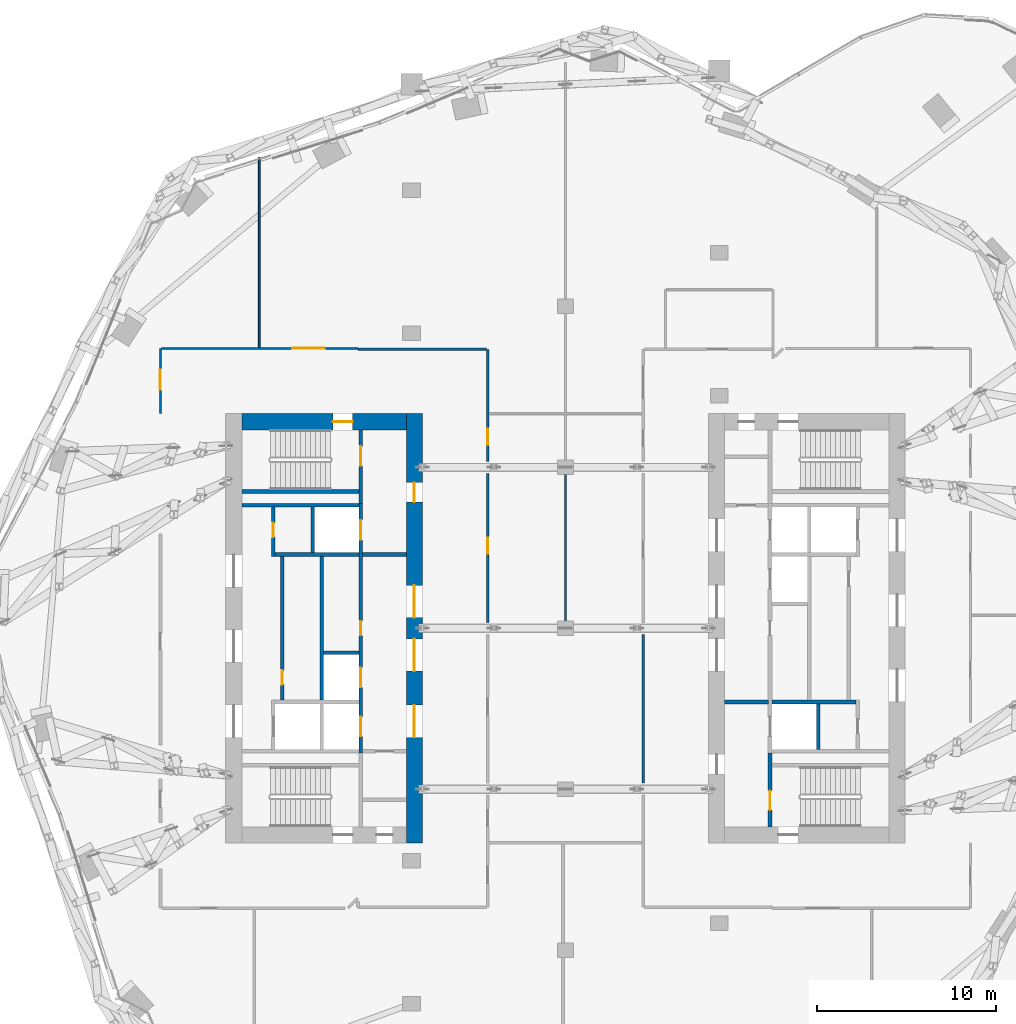
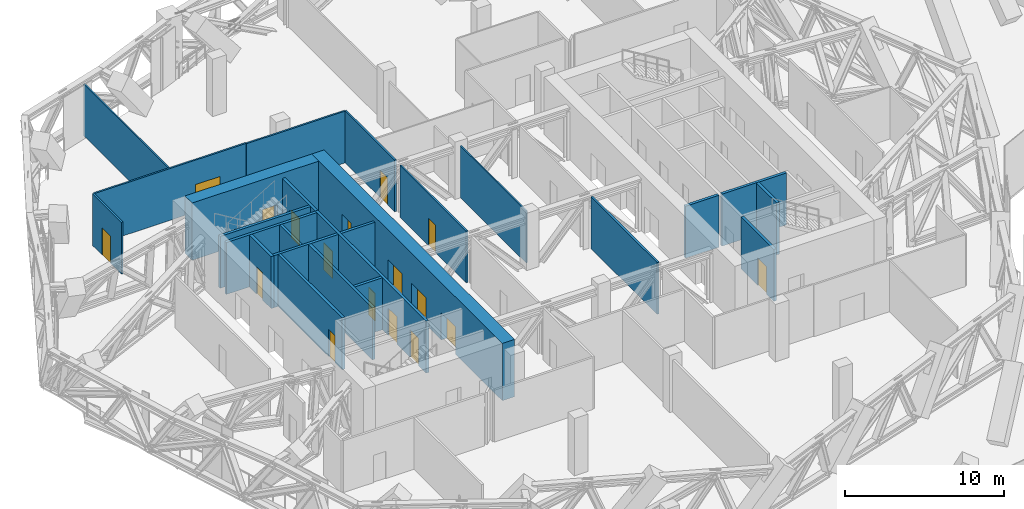
# One storey, part 23 of 31: 25 walls, 17 doors, 17 openings.
"""IFC4 building model written with IfcOpenShell, lengths in metres."""

from ifc_helpers import new_model, si_unit, direction, frame, frame_2d, origin, place, context, subcontext, project, spatial, rectangle, extrude, material, layer, layer_set, type_object, element, fill, save


model = new_model("IFC4")

# Units and contexts
model_context = context("Model", 3, precision=1e-05, world=origin(), true_north=direction((0.0, 1.0)))
body_context = subcontext(model_context, "Body", "Model", "MODEL_VIEW")
ifc_project = project(units=[si_unit("LENGTHUNIT", "METRE"), si_unit("AREAUNIT", "SQUARE_METRE"), si_unit("VOLUMEUNIT", "CUBIC_METRE"), si_unit("PLANEANGLEUNIT", "RADIAN"), si_unit("MASSUNIT", "GRAM", prefix="KILO")], contexts=[model_context])

# Site, building, storey
site_placement = place(None, origin())
site = spatial("IfcSite", under=ifc_project, at=site_placement, CompositionType="ELEMENT")
building_placement = place(site_placement, origin())
building = spatial("IfcBuilding", under=site, at=building_placement, Name="Orlundy Tower", CompositionType="ELEMENT")
storey_placement = place(building_placement, frame((0.0, 0.0, 271.0)))
storey = spatial("IfcBuildingStorey", under=building, at=storey_placement, Name="L72", CompositionType="ELEMENT", Elevation=271.0)

# Wall, opening, door
ifc_material_1 = material(Name="Concrete C60/75", Category="concrete")
ifc_layer_1 = layer(ifc_material_1, 0.89990234375)
ifc_layer_set_1 = layer_set([ifc_layer_1], Name="CORE WALL 900 C60/75")
wall_type_1 = type_object("IfcWallType", Name="CORE WALL 900 C60/75", PredefinedType="SHEAR", material=ifc_layer_set_1)
wall_1_placement = place(storey_placement, frame((-18.10009765625, 11.550048828125, 0.0), z_axis=(0.0, 0.0, 1.0), x_axis=(1.0, 0.0, 0.0)))
wall_1 = element("IfcWall", 1, at=wall_1_placement, inside=storey, type_object=wall_type_1, Name="Core wall W-N L72", PredefinedType="SHEAR", context=body_context, shape_type="SweptSolid", body=[
    extrude(rectangle(XDim=9.2001953125, YDim=0.89990234375, at=frame_2d((4.60009765625, 0.0))), origin(), (0.0, 0.0, 1.0), 4.39990234375),
])
opening_1_placement = place(wall_1_placement, frame((5.10009765625, 0.0, 0.0)))
opening_1 = element("IfcOpeningElement", 2, at=opening_1_placement, cuts=wall_1, Name="Opening 54015", PredefinedType="OPENING", context=body_context, shape_type="SweptSolid", body=[
    extrude(rectangle(XDim=1.10009765625, YDim=2.10009765625, at=frame_2d((0.550048828125, 1.050048828125))), frame((0.0, 0.4599609375, 0.0), z_axis=(0.0, -1.0, 0.0), x_axis=(1.0, 0.0, 0.0)), (0.0, 0.0, 1.0), 0.919921875),
])
ifc_material_2 = material(Name="Steel door set", Category="steel")
door_type_1 = type_object("IfcDoorType", Name="Stair Door 1100x2100", OperationType="SINGLE_SWING_LEFT", PredefinedType="DOOR", material=ifc_material_2)
door_1_placement = place(opening_1_placement, origin())
door_1 = element("IfcDoor", 3, at=door_1_placement, inside=storey, type_object=door_type_1, Name="Stair door 54015", OperationType="SINGLE_SWING_RIGHT", OverallHeight=2.10009765625, OverallWidth=1.10009765625, PredefinedType="DOOR", context=body_context, shape_type="SweptSolid", body=[
    extrude(rectangle(XDim=1.10009765625, YDim=2.10009765625, at=frame_2d((0.550048828125, 1.050048828125))), frame((0.0, 0.02490234375, 0.0), z_axis=(0.0, -1.0, 0.0), x_axis=(1.0, 0.0, 0.0)), (0.0, 0.0, 1.0), 0.050048828125),
])
fill(opening_1, door_1)

# Wall, openings, doors
wall_2_placement = place(storey_placement, frame((-8.449951171875, -12.0, 0.0), z_axis=(0.0, 0.0, 1.0), x_axis=(0.0, 1.0, 0.0)))
wall_2 = element("IfcWall", 4, at=wall_2_placement, inside=storey, type_object=wall_type_1, Name="Core wall W-E L72", PredefinedType="SHEAR", context=body_context, shape_type="SweptSolid", body=[
    extrude(rectangle(XDim=24.0, YDim=0.89990234375, at=frame_2d((12.0, 0.0))), origin(), (0.0, 0.0, 1.0), 4.39990234375),
])
opening_2_placement = place(wall_2_placement, frame((9.60009765625, 0.0, 0.0)))
opening_2 = element("IfcOpeningElement", 5, at=opening_2_placement, cuts=wall_2, Name="Opening 54008", PredefinedType="OPENING", context=body_context, shape_type="SweptSolid", body=[
    extrude(rectangle(XDim=1.800048828125, YDim=2.10009765625, at=frame_2d((0.89990234375, 1.050048828125))), frame((0.0, 0.4599609375, 0.0), z_axis=(0.0, -1.0, 0.0), x_axis=(1.0, 0.0, 0.0)), (0.0, 0.0, 1.0), 0.919921875),
])
opening_3_placement = place(wall_2_placement, frame((5.89990234375, 0.0, 0.0)))
opening_3 = element("IfcOpeningElement", 6, at=opening_3_placement, cuts=wall_2, Name="Opening 54012", PredefinedType="OPENING", context=body_context, shape_type="SweptSolid", body=[
    extrude(rectangle(XDim=1.800048828125, YDim=2.10009765625, at=frame_2d((0.89990234375, 1.050048828125))), frame((0.0, 0.4599609375, 0.0), z_axis=(0.0, -1.0, 0.0), x_axis=(1.0, 0.0, 0.0)), (0.0, 0.0, 1.0), 0.919921875),
])
opening_4_placement = place(wall_2_placement, frame((12.60009765625, 0.0, 0.0)))
opening_4 = element("IfcOpeningElement", 7, at=opening_4_placement, cuts=wall_2, Name="Opening 54013", PredefinedType="OPENING", context=body_context, shape_type="SweptSolid", body=[
    extrude(rectangle(XDim=1.800048828125, YDim=2.10009765625, at=frame_2d((0.89990234375, 1.050048828125))), frame((0.0, 0.4599609375, 0.0), z_axis=(0.0, -1.0, 0.0), x_axis=(1.0, 0.0, 0.0)), (0.0, 0.0, 1.0), 0.919921875),
])
opening_5_placement = place(wall_2_placement, frame((19.050048828125, 0.0, 0.0)))
opening_5 = element("IfcOpeningElement", 8, at=opening_5_placement, cuts=wall_2, Name="Opening 54014", PredefinedType="OPENING", context=body_context, shape_type="SweptSolid", body=[
    extrude(rectangle(XDim=1.10009765625, YDim=2.10009765625, at=frame_2d((0.550048828125, 1.050048828125))), frame((0.0, 0.4599609375, 0.0), z_axis=(0.0, -1.0, 0.0), x_axis=(1.0, 0.0, 0.0)), (0.0, 0.0, 1.0), 0.919921875),
])
ifc_material_3 = material(Name="Steel door set", Category="steel")
door_type_2 = type_object("IfcDoorType", Name="Fire-fighting Lobby Door 1100x2100", OperationType="SINGLE_SWING_LEFT", PredefinedType="DOOR", material=ifc_material_3)
door_2_placement = place(opening_5_placement, origin())
door_2 = element("IfcDoor", 9, at=door_2_placement, inside=storey, type_object=door_type_2, Name="Fire-fighting lobby door 54014", OperationType="SINGLE_SWING_RIGHT", OverallHeight=2.10009765625, OverallWidth=1.10009765625, PredefinedType="DOOR", context=body_context, shape_type="SweptSolid", body=[
    extrude(rectangle(XDim=1.10009765625, YDim=2.10009765625, at=frame_2d((0.550048828125, 1.050048828125))), frame((0.0, 0.02490234375, 0.0), z_axis=(0.0, -1.0, 0.0), x_axis=(1.0, 0.0, 0.0)), (0.0, 0.0, 1.0), 0.050048828125),
])
fill(opening_5, door_2)
ifc_material_4 = material(Name="Timber door set", Category="wood")
door_type_3 = type_object("IfcDoorType", Name="Lobby Door 1800x2100", OperationType="DOUBLE_DOOR_DOUBLE_SWING", PredefinedType="DOOR", material=ifc_material_4)
door_3_placement = place(opening_2_placement, origin())
door_3 = element("IfcDoor", 10, at=door_3_placement, inside=storey, type_object=door_type_3, Name="Lift lobby door 54008", OperationType="SINGLE_SWING_LEFT", OverallHeight=2.10009765625, OverallWidth=1.800048828125, PredefinedType="DOOR", context=body_context, shape_type="SweptSolid", body=[
    extrude(rectangle(XDim=1.800048828125, YDim=2.10009765625, at=frame_2d((0.89990234375, 1.050048828125))), frame((0.0, 0.02490234375, 0.0), z_axis=(0.0, -1.0, 0.0), x_axis=(1.0, 0.0, 0.0)), (0.0, 0.0, 1.0), 0.050048828125),
])
fill(opening_2, door_3)
door_4_placement = place(opening_3_placement, origin())
door_4 = element("IfcDoor", 11, at=door_4_placement, inside=storey, type_object=door_type_3, Name="Lift lobby door 54012", OperationType="SINGLE_SWING_LEFT", OverallHeight=2.10009765625, OverallWidth=1.800048828125, PredefinedType="DOOR", context=body_context, shape_type="SweptSolid", body=[
    extrude(rectangle(XDim=1.800048828125, YDim=2.10009765625, at=frame_2d((0.89990234375, 1.050048828125))), frame((0.0, 0.02490234375, 0.0), z_axis=(0.0, -1.0, 0.0), x_axis=(1.0, 0.0, 0.0)), (0.0, 0.0, 1.0), 0.050048828125),
])
fill(opening_3, door_4)
door_5_placement = place(opening_4_placement, origin())
door_5 = element("IfcDoor", 12, at=door_5_placement, inside=storey, type_object=door_type_3, Name="Lift lobby door 54013", OperationType="SINGLE_SWING_RIGHT", OverallHeight=2.10009765625, OverallWidth=1.800048828125, PredefinedType="DOOR", context=body_context, shape_type="SweptSolid", body=[
    extrude(rectangle(XDim=1.800048828125, YDim=2.10009765625, at=frame_2d((0.89990234375, 1.050048828125))), frame((0.0, 0.02490234375, 0.0), z_axis=(0.0, -1.0, 0.0), x_axis=(1.0, 0.0, 0.0)), (0.0, 0.0, 1.0), 0.050048828125),
])
fill(opening_4, door_5)

# Walls
ifc_material_5 = material(Name="Gypsum board partition")
ifc_layer_2 = layer(ifc_material_5, 0.10009765625)
ifc_layer_set_2 = layer_set([ifc_layer_2], Name="Floor partition 100")
wall_type_2 = type_object("IfcWallType", Name="Floor partition 100", PredefinedType="PARTITIONING", material=ifc_layer_set_2)
wall_3_placement = place(storey_placement, frame((0.0, 0.3349609375, 0.0), z_axis=(0.0, 0.0, 1.0), x_axis=(0.0, 1.0, 0.0)))
element("IfcWall", 13, at=wall_3_placement, inside=storey, type_object=wall_type_2, Name="wall-int-L72-029", PredefinedType="PARTITIONING", context=body_context, shape_type="SweptSolid", body=[
    extrude(rectangle(XDim=8.330078125, YDim=0.10009765625, at=frame_2d((4.1650390625, 0.0))), origin(), (0.0, 0.0, 1.0), 3.97998046875),
])
wall_4_placement = place(storey_placement, frame((-17.1201171875, 15.712890625, 0.0), z_axis=(0.0, 0.0, 1.0), x_axis=(0.0, 1.0, 0.0)))
element("IfcWall", 14, at=wall_4_placement, inside=storey, type_object=wall_type_2, Name="wall-int-L72-036", PredefinedType="PARTITIONING", context=body_context, shape_type="SweptSolid", body=[
    extrude(rectangle(XDim=10.633056640625, YDim=0.10009765625, at=frame_2d((5.31640625, 0.0))), origin(), (0.0, 0.0, 1.0), 3.97998046875),
])
ifc_material_6 = material(Name="Gypsum board partition, double layer")
ifc_layer_3 = layer(ifc_material_6, 0.125)
ifc_layer_set_3 = layer_set([ifc_layer_3], Name="Floor partition 125")
wall_type_3 = type_object("IfcWallType", Name="Floor partition 125", PredefinedType="PARTITIONING", material=ifc_layer_set_3)
wall_5_placement = place(storey_placement, frame((-11.590087890625, 15.60107421875, 0.0), z_axis=(0.0, 0.0, 1.0), x_axis=(1.0, 0.0, 0.0)))
element("IfcWall", 15, at=wall_5_placement, inside=storey, type_object=wall_type_3, Name="wall-int-L72-009", PredefinedType="PARTITIONING", context=body_context, shape_type="SweptSolid", body=[
    extrude(rectangle(XDim=7.177978515625, YDim=0.125, at=frame_2d((3.5888671875, 0.0))), origin(), (0.0, 0.0, 1.0), 3.97998046875),
])

# Wall, opening, door
wall_6_placement = place(storey_placement, frame((-22.5869140625, 15.65087890625, 0.0), z_axis=(0.0, 0.0, 1.0), x_axis=(1.0, 0.0, 0.0)))
wall_6 = element("IfcWall", 16, at=wall_6_placement, inside=storey, type_object=wall_type_3, Name="wall-int-L72-011", PredefinedType="PARTITIONING", context=body_context, shape_type="SweptSolid", body=[
    extrude(rectangle(XDim=10.995849609375, YDim=0.125, at=frame_2d((5.498046875, 0.0))), origin(), (0.0, 0.0, 1.0), 3.97998046875),
])
opening_6_placement = place(wall_6_placement, frame((7.3173828125, 0.0, 0.0)))
opening_6 = element("IfcOpeningElement", 17, at=opening_6_placement, cuts=wall_6, Name="Opening 54115", PredefinedType="OPENING", context=body_context, shape_type="SweptSolid", body=[
    extrude(rectangle(XDim=1.800048828125, YDim=2.10009765625, at=frame_2d((0.89990234375, 1.050048828125))), frame((0.0, 0.072509765625, 0.0), z_axis=(0.0, -1.0, 0.0), x_axis=(1.0, 0.0, 0.0)), (0.0, 0.0, 1.0), 0.14501953125),
])
ifc_material_7 = material(Name="Timber door leaf", Category="wood")
door_type_4 = type_object("IfcDoorType", Name="Floor door double 1800 FD30S", OperationType="NOTDEFINED", PredefinedType="DOOR", material=ifc_material_7)
door_6_placement = place(opening_6_placement, origin())
door_6 = element("IfcDoor", 18, at=door_6_placement, inside=storey, type_object=door_type_4, Name="Door 54115", OperationType="DOUBLE_DOOR_SINGLE_SWING", OverallHeight=2.10009765625, OverallWidth=1.800048828125, PredefinedType="DOOR", context=body_context, shape_type="SweptSolid", body=[
    extrude(rectangle(XDim=1.800048828125, YDim=2.10009765625, at=frame_2d((0.89990234375, 1.050048828125))), frame((0.0, 0.02490234375, 0.0), z_axis=(0.0, -1.0, 0.0), x_axis=(1.0, 0.0, 0.0)), (0.0, 0.0, 1.0), 0.050048828125),
])
fill(opening_6, door_6)

wall_7_placement = place(storey_placement, frame((-4.34912109375, 8.6650390625, 0.0), z_axis=(0.0, 0.0, 1.0), x_axis=(0.0, -1.0, 0.0)))
wall_7 = element("IfcWall", 19, at=wall_7_placement, inside=storey, type_object=wall_type_3, Name="wall-int-L72-034", PredefinedType="PARTITIONING", context=body_context, shape_type="SweptSolid", body=[
    extrude(rectangle(XDim=8.330078125, YDim=0.125, at=frame_2d((4.1650390625, 0.0))), origin(), (0.0, 0.0, 1.0), 3.97998046875),
])
opening_7_placement = place(wall_7_placement, frame((3.60009765625, 0.0, 0.0)))
opening_7 = element("IfcOpeningElement", 20, at=opening_7_placement, cuts=wall_7, Name="Opening 54116", PredefinedType="OPENING", context=body_context, shape_type="SweptSolid", body=[
    extrude(rectangle(XDim=0.89990234375, YDim=2.10009765625, at=frame_2d((0.449951171875, 1.050048828125))), frame((0.0, 0.072509765625, 0.0), z_axis=(0.0, -1.0, 0.0), x_axis=(1.0, 0.0, 0.0)), (0.0, 0.0, 1.0), 0.14501953125),
])
ifc_material_8 = material(Name="Timber door leaf", Category="wood")
door_type_5 = type_object("IfcDoorType", Name="Floor door single 900 FD30S", OperationType="NOTDEFINED", PredefinedType="DOOR", material=ifc_material_8)
door_7_placement = place(opening_7_placement, origin())
door_7 = element("IfcDoor", 21, at=door_7_placement, inside=storey, type_object=door_type_5, Name="Door 54116", OperationType="SINGLE_SWING_LEFT", OverallHeight=2.10009765625, OverallWidth=0.89990234375, PredefinedType="DOOR", context=body_context, shape_type="SweptSolid", body=[
    extrude(rectangle(XDim=0.89990234375, YDim=2.10009765625, at=frame_2d((0.449951171875, 1.050048828125))), frame((0.0, 0.02490234375, 0.0), z_axis=(0.0, -1.0, 0.0), x_axis=(1.0, 0.0, 0.0)), (0.0, 0.0, 1.0), 0.050048828125),
])
fill(opening_7, door_7)

wall_8_placement = place(storey_placement, frame((-4.34912109375, 15.60009765625, 0.0), z_axis=(0.0, 0.0, 1.0), x_axis=(0.0, -1.0, 0.0)))
wall_8 = element("IfcWall", 22, at=wall_8_placement, inside=storey, type_object=wall_type_3, Name="wall-int-L72-035", PredefinedType="PARTITIONING", context=body_context, shape_type="SweptSolid", body=[
    extrude(rectangle(XDim=6.26513671875, YDim=0.125, at=frame_2d((3.132568359375, 0.0))), origin(), (0.0, 0.0, 1.0), 3.97998046875),
])
opening_8_placement = place(wall_8_placement, frame((4.449951171875, 0.0, 0.0)))
opening_8 = element("IfcOpeningElement", 23, at=opening_8_placement, cuts=wall_8, Name="Opening 54114", PredefinedType="OPENING", context=body_context, shape_type="SweptSolid", body=[
    extrude(rectangle(XDim=0.89990234375, YDim=2.10009765625, at=frame_2d((0.449951171875, 1.050048828125))), frame((0.0, 0.072509765625, 0.0), z_axis=(0.0, -1.0, 0.0), x_axis=(1.0, 0.0, 0.0)), (0.0, 0.0, 1.0), 0.14501953125),
])
door_8_placement = place(opening_8_placement, origin())
door_8 = element("IfcDoor", 24, at=door_8_placement, inside=storey, type_object=door_type_5, Name="Door 54114", OperationType="SINGLE_SWING_RIGHT", OverallHeight=2.10009765625, OverallWidth=0.89990234375, PredefinedType="DOOR", context=body_context, shape_type="SweptSolid", body=[
    extrude(rectangle(XDim=0.89990234375, YDim=2.10009765625, at=frame_2d((0.449951171875, 1.050048828125))), frame((0.0, 0.02490234375, 0.0), z_axis=(0.0, -1.0, 0.0), x_axis=(1.0, 0.0, 0.0)), (0.0, 0.0, 1.0), 0.050048828125),
])
fill(opening_8, door_8)

wall_9_placement = place(storey_placement, frame((-22.64990234375, 12.0, 0.0), z_axis=(0.0, 0.0, 1.0), x_axis=(0.0, 1.0, 0.0)))
wall_9 = element("IfcWall", 25, at=wall_9_placement, inside=storey, type_object=wall_type_3, Name="wall-int-L72-041", PredefinedType="PARTITIONING", context=body_context, shape_type="SweptSolid", body=[
    extrude(rectangle(XDim=3.65087890625, YDim=0.125, at=frame_2d((1.825439453125, 0.0))), origin(), (0.0, 0.0, 1.0), 3.97998046875),
])
opening_9_placement = place(wall_9_placement, frame((1.35009765625, 0.0, 0.0)))
opening_9 = element("IfcOpeningElement", 26, at=opening_9_placement, cuts=wall_9, Name="Opening 54117", PredefinedType="OPENING", context=body_context, shape_type="SweptSolid", body=[
    extrude(rectangle(XDim=1.10009765625, YDim=2.10009765625, at=frame_2d((0.550048828125, 1.050048828125))), frame((0.0, 0.072509765625, 0.0), z_axis=(0.0, -1.0, 0.0), x_axis=(1.0, 0.0, 0.0)), (0.0, 0.0, 1.0), 0.14501953125),
])
ifc_material_9 = material(Name="Timber door leaf", Category="wood")
door_type_6 = type_object("IfcDoorType", Name="Floor door xwide 1100 FD30S", OperationType="NOTDEFINED", PredefinedType="DOOR", material=ifc_material_9)
door_9_placement = place(opening_9_placement, origin())
door_9 = element("IfcDoor", 27, at=door_9_placement, inside=storey, type_object=door_type_6, Name="Door 54117", OperationType="SINGLE_SWING_RIGHT", OverallHeight=2.10009765625, OverallWidth=1.10009765625, PredefinedType="DOOR", context=body_context, shape_type="SweptSolid", body=[
    extrude(rectangle(XDim=1.10009765625, YDim=2.10009765625, at=frame_2d((0.550048828125, 1.050048828125))), frame((0.0, 0.02490234375, 0.0), z_axis=(0.0, -1.0, 0.0), x_axis=(1.0, 0.0, 0.0)), (0.0, 0.0, 1.0), 0.050048828125),
])
fill(opening_9, door_9)

# Wall
ifc_material_10 = material(Name="Blockwork shaft wall", Category="masonry")
ifc_layer_4 = layer(ifc_material_10, 0.14990234375)
ifc_layer_set_4 = layer_set([ifc_layer_4], Name="Floor shaft wall 150")
wall_type_4 = type_object("IfcWallType", Name="Floor shaft wall 150", PredefinedType="PARTITIONING", material=ifc_layer_set_4)
wall_10_placement = place(storey_placement, frame((4.35009765625, -8.6650390625, 0.0), z_axis=(0.0, 0.0, 1.0), x_axis=(0.0, 1.0, 0.0)))
element("IfcWall", 28, at=wall_10_placement, inside=storey, type_object=wall_type_4, Name="wall-int-L72-026", PredefinedType="PARTITIONING", context=body_context, shape_type="SweptSolid", body=[
    extrude(rectangle(XDim=8.330078125, YDim=0.14990234375, at=frame_2d((4.1650390625, 0.0))), origin(), (0.0, 0.0, 1.0), 3.97998046875),
])

# Wall, opening, door
ifc_material_11 = material(Name="Concrete C40/50", Category="concrete")
ifc_layer_5 = layer(ifc_material_11, 0.199951171875)
ifc_layer_set_5 = layer_set([ifc_layer_5], Name="Load-bearing Shaft Wall 200")
wall_type_5 = type_object("IfcWallType", Name="Load-bearing Shaft Wall 200", PredefinedType="SOLIDWALL", material=ifc_layer_set_5)
wall_11_placement = place(storey_placement, frame((-11.43994140625, 6.97509765625, 0.0), z_axis=(0.0, 0.0, 1.0), x_axis=(0.0, 1.0, 0.0)))
wall_11 = element("IfcWall", 29, at=wall_11_placement, inside=storey, type_object=wall_type_5, Name="Shaft wall W54-stair-end-n", PredefinedType="SOLIDWALL", context=body_context, shape_type="SweptSolid", body=[
    extrude(rectangle(XDim=4.125, YDim=0.199951171875, at=frame_2d((2.0625, 0.0))), origin(), (0.0, 0.0, 1.0), 3.989990234375),
])
opening_10_placement = place(wall_11_placement, frame((2.10009765625, 0.0, 0.0)))
opening_10 = element("IfcOpeningElement", 30, at=opening_10_placement, cuts=wall_11, Name="Opening 54017", PredefinedType="OPENING", context=body_context, shape_type="SweptSolid", body=[
    extrude(rectangle(XDim=1.10009765625, YDim=2.10009765625, at=frame_2d((0.550048828125, 1.050048828125))), frame((0.0, 0.110107421875, 0.0), z_axis=(0.0, -1.0, 0.0), x_axis=(1.0, 0.0, 0.0)), (0.0, 0.0, 1.0), 0.22021484375),
])
door_10_placement = place(opening_10_placement, origin())
door_10 = element("IfcDoor", 31, at=door_10_placement, inside=storey, type_object=door_type_2, Name="Fire-fighting lobby to stair door 54017", OperationType="SINGLE_SWING_RIGHT", OverallHeight=2.10009765625, OverallWidth=1.10009765625, PredefinedType="DOOR", context=body_context, shape_type="SweptSolid", body=[
    extrude(rectangle(XDim=1.10009765625, YDim=2.10009765625, at=frame_2d((0.550048828125, 1.050048828125))), frame((0.0, 0.02490234375, 0.0), z_axis=(0.0, -1.0, 0.0), x_axis=(1.0, 0.0, 0.0)), (0.0, 0.0, 1.0), 0.050048828125),
])
fill(opening_10, door_10)

# Wall
wall_12_placement = place(storey_placement, frame((-11.5400390625, 7.64990234375, 0.0), z_axis=(0.0, 0.0, 1.0), x_axis=(-1.0, 0.0, 0.0)))
element("IfcWall", 32, at=wall_12_placement, inside=storey, type_object=wall_type_5, Name="Shaft wall W54-stair-side-n", PredefinedType="SOLIDWALL", context=body_context, shape_type="SweptSolid", body=[
    extrude(rectangle(XDim=6.56005859375, YDim=0.199951171875, at=frame_2d((3.280029296875, 0.0))), origin(), (0.0, 0.0, 1.0), 3.989990234375),
])

# Wall, opening, door
wall_13_placement = place(storey_placement, frame((11.43994140625, -6.97509765625, 0.0), z_axis=(0.0, 0.0, 1.0), x_axis=(0.0, -1.0, 0.0)))
wall_13 = element("IfcWall", 33, at=wall_13_placement, inside=storey, type_object=wall_type_5, Name="Shaft wall E54-stair-end-n", PredefinedType="SOLIDWALL", context=body_context, shape_type="SweptSolid", body=[
    extrude(rectangle(XDim=4.125, YDim=0.199951171875, at=frame_2d((2.0625, 0.0))), origin(), (0.0, 0.0, 1.0), 3.989990234375),
])
opening_11_placement = place(wall_13_placement, frame((2.10009765625, 0.0, 0.0)))
opening_11 = element("IfcOpeningElement", 34, at=opening_11_placement, cuts=wall_13, Name="Opening 54066", PredefinedType="OPENING", context=body_context, shape_type="SweptSolid", body=[
    extrude(rectangle(XDim=1.10009765625, YDim=2.10009765625, at=frame_2d((0.550048828125, 1.050048828125))), frame((0.0, 0.110107421875, 0.0), z_axis=(0.0, -1.0, 0.0), x_axis=(1.0, 0.0, 0.0)), (0.0, 0.0, 1.0), 0.22021484375),
])
door_11_placement = place(opening_11_placement, origin())
door_11 = element("IfcDoor", 35, at=door_11_placement, inside=storey, type_object=door_type_2, Name="Fire-fighting lobby to stair door 54066", OperationType="SINGLE_SWING_RIGHT", OverallHeight=2.10009765625, OverallWidth=1.10009765625, PredefinedType="DOOR", context=body_context, shape_type="SweptSolid", body=[
    extrude(rectangle(XDim=1.10009765625, YDim=2.10009765625, at=frame_2d((0.550048828125, 1.050048828125))), frame((0.0, 0.02490234375, 0.0), z_axis=(0.0, -1.0, 0.0), x_axis=(1.0, 0.0, 0.0)), (0.0, 0.0, 1.0), 0.050048828125),
])
fill(opening_11, door_11)

# Walls
ifc_material_12 = material(Name="Gypsum board partition on steel studs", Category="steel")
ifc_layer_6 = layer(ifc_material_12, 0.199951171875)
ifc_layer_set_6 = layer_set([ifc_layer_6], Name="Partition 200")
wall_type_6 = type_object("IfcWallType", Name="Partition 200", PredefinedType="PARTITIONING", material=ifc_layer_set_6)
for number, where, z_axis, x_axis, name in (
    (36, (-8.89990234375, 4.125, 0.0), (0.0, 0.0, 1.0), (-1.0, 0.0, 0.0), "Partition wall W54-lobby-n"),
    (37, (8.89990234375, -4.125, 0.0), (0.0, 0.0, 1.0), (1.0, 0.0, 0.0), "Partition wall E54-lobby-n"),
):
    element("IfcWall", number, at=place(storey_placement, frame(where, z_axis=z_axis, x_axis=x_axis)), inside=storey, type_object=wall_type_6, Name=name, PredefinedType="PARTITIONING", context=body_context, shape_type="SweptSolid", body=[
        extrude(rectangle(XDim=2.440185546875, YDim=0.199951171875, at=frame_2d((1.22021484375, 0.0))), origin(), (0.0, 0.0, 1.0), 3.989990234375),
    ])
ifc_material_13 = material(Name="Fire-rated blockwork shaft wall", Category="masonry")
ifc_layer_7 = layer(ifc_material_13, 0.199951171875)
ifc_layer_set_7 = layer_set([ifc_layer_7], Name="Shaft Wall 200")
wall_type_7 = type_object("IfcWallType", Name="Shaft Wall 200", PredefinedType="SOLIDWALL", material=ifc_layer_set_7)
wall_14_placement = place(storey_placement, frame((-11.5400390625, 6.875, 0.0), z_axis=(0.0, 0.0, 1.0), x_axis=(-1.0, 0.0, 0.0)))
element("IfcWall", 38, at=wall_14_placement, inside=storey, type_object=wall_type_7, Name="Shaft wall W54-zone-n", PredefinedType="SOLIDWALL", context=body_context, shape_type="SweptSolid", body=[
    extrude(rectangle(XDim=6.56005859375, YDim=0.199951171875, at=frame_2d((3.280029296875, 0.0))), origin(), (0.0, 0.0, 1.0), 3.989990234375),
])
wall_15_placement = place(storey_placement, frame((-11.5400390625, -1.375, 0.0), z_axis=(0.0, 0.0, 1.0), x_axis=(-1.0, 0.0, 0.0)))
element("IfcWall", 39, at=wall_15_placement, inside=storey, type_object=wall_type_7, Name="Shaft wall W54-cross-1.375", PredefinedType="SOLIDWALL", context=body_context, shape_type="SweptSolid", body=[
    extrude(rectangle(XDim=2.0, YDim=0.199951171875, at=frame_2d((1.0, 0.0))), origin(), (0.0, 0.0, 1.0), 3.989990234375),
])
wall_16_placement = place(storey_placement, frame((-11.5400390625, 4.125, 0.0), z_axis=(0.0, 0.0, 1.0), x_axis=(-1.0, 0.0, 0.0)))
element("IfcWall", 40, at=wall_16_placement, inside=storey, type_object=wall_type_7, Name="Shaft wall W54-cross+4.125", PredefinedType="SOLIDWALL", context=body_context, shape_type="SweptSolid", body=[
    extrude(rectangle(XDim=4.699951171875, YDim=0.199951171875, at=frame_2d((2.35009765625, 0.0))), origin(), (0.0, 0.0, 1.0), 3.989990234375),
])

# Wall, openings, doors
wall_17_placement = place(storey_placement, frame((-11.43994140625, -6.97509765625, 0.0), z_axis=(0.0, 0.0, 1.0), x_axis=(0.0, 1.0, 0.0)))
wall_17 = element("IfcWall", 41, at=wall_17_placement, inside=storey, type_object=wall_type_7, Name="Shaft wall W54-front-h", PredefinedType="SOLIDWALL", context=body_context, shape_type="SweptSolid", body=[
    extrude(rectangle(XDim=13.9501953125, YDim=0.199951171875, at=frame_2d((6.97509765625, 0.0))), origin(), (0.0, 0.0, 1.0), 3.989990234375),
])
opening_12_placement = place(wall_17_placement, frame((0.925048828125, 0.0, 0.0)))
opening_12 = element("IfcOpeningElement", 42, at=opening_12_placement, cuts=wall_17, Name="Opening 54001", PredefinedType="OPENING", context=body_context, shape_type="SweptSolid", body=[
    extrude(rectangle(XDim=1.10009765625, YDim=2.10009765625, at=frame_2d((0.550048828125, 1.050048828125))), frame((0.0, 0.110107421875, 0.0), z_axis=(0.0, -1.0, 0.0), x_axis=(1.0, 0.0, 0.0)), (0.0, 0.0, 1.0), 0.22021484375),
])
opening_13_placement = place(wall_17_placement, frame((3.675048828125, 0.0, 0.0)))
opening_13 = element("IfcOpeningElement", 43, at=opening_13_placement, cuts=wall_17, Name="Opening 54003", PredefinedType="OPENING", context=body_context, shape_type="SweptSolid", body=[
    extrude(rectangle(XDim=1.10009765625, YDim=2.10009765625, at=frame_2d((0.550048828125, 1.050048828125))), frame((0.0, 0.110107421875, 0.0), z_axis=(0.0, -1.0, 0.0), x_axis=(1.0, 0.0, 0.0)), (0.0, 0.0, 1.0), 0.22021484375),
])
opening_14_placement = place(wall_17_placement, frame((11.925048828125, 0.0, 0.0)))
opening_14 = element("IfcOpeningElement", 44, at=opening_14_placement, cuts=wall_17, Name="Opening 54004", PredefinedType="OPENING", context=body_context, shape_type="SweptSolid", body=[
    extrude(rectangle(XDim=1.10009765625, YDim=2.10009765625, at=frame_2d((0.550048828125, 1.050048828125))), frame((0.0, 0.110107421875, 0.0), z_axis=(0.0, -1.0, 0.0), x_axis=(1.0, 0.0, 0.0)), (0.0, 0.0, 1.0), 0.22021484375),
])
opening_15_placement = place(wall_17_placement, frame((6.574951171875, 0.0, 0.0)))
opening_15 = element("IfcOpeningElement", 45, at=opening_15_placement, cuts=wall_17, Name="Opening 54006", PredefinedType="OPENING", context=body_context, shape_type="SweptSolid", body=[
    extrude(rectangle(XDim=0.800048828125, YDim=2.10009765625, at=frame_2d((0.39990234375, 1.050048828125))), frame((0.0, 0.110107421875, 0.0), z_axis=(0.0, -1.0, 0.0), x_axis=(1.0, 0.0, 0.0)), (0.0, 0.0, 1.0), 0.22021484375),
])
ifc_material_14 = material(Name="Steel door set", Category="steel")
door_type_7 = type_object("IfcDoorType", Name="Landing Door 1100x2100", OperationType="DOUBLE_DOOR_SLIDING", PredefinedType="DOOR", material=ifc_material_14)
door_12_placement = place(opening_12_placement, origin())
door_12 = element("IfcDoor", 46, at=door_12_placement, inside=storey, type_object=door_type_7, Name="Lift landing door LP-22 54001", OperationType="DOUBLE_DOOR_SLIDING", OverallHeight=2.10009765625, OverallWidth=1.10009765625, PredefinedType="DOOR", context=body_context, shape_type="SweptSolid", body=[
    extrude(rectangle(XDim=1.10009765625, YDim=2.10009765625, at=frame_2d((0.550048828125, 1.050048828125))), frame((0.0, 0.02490234375, 0.0), z_axis=(0.0, -1.0, 0.0), x_axis=(1.0, 0.0, 0.0)), (0.0, 0.0, 1.0), 0.050048828125),
])
fill(opening_12, door_12)
door_13_placement = place(opening_13_placement, origin())
door_13 = element("IfcDoor", 47, at=door_13_placement, inside=storey, type_object=door_type_7, Name="Lift landing door LP-21 54003", OperationType="DOUBLE_DOOR_SLIDING", OverallHeight=2.10009765625, OverallWidth=1.10009765625, PredefinedType="DOOR", context=body_context, shape_type="SweptSolid", body=[
    extrude(rectangle(XDim=1.10009765625, YDim=2.10009765625, at=frame_2d((0.550048828125, 1.050048828125))), frame((0.0, 0.02490234375, 0.0), z_axis=(0.0, -1.0, 0.0), x_axis=(1.0, 0.0, 0.0)), (0.0, 0.0, 1.0), 0.050048828125),
])
fill(opening_13, door_13)
door_14_placement = place(opening_14_placement, origin())
door_14 = element("IfcDoor", 48, at=door_14_placement, inside=storey, type_object=door_type_7, Name="Lift landing door FL1 54004", OperationType="DOUBLE_DOOR_SLIDING", OverallHeight=2.10009765625, OverallWidth=1.10009765625, PredefinedType="DOOR", context=body_context, shape_type="SweptSolid", body=[
    extrude(rectangle(XDim=1.10009765625, YDim=2.10009765625, at=frame_2d((0.550048828125, 1.050048828125))), frame((0.0, 0.02490234375, 0.0), z_axis=(0.0, -1.0, 0.0), x_axis=(1.0, 0.0, 0.0)), (0.0, 0.0, 1.0), 0.050048828125),
])
fill(opening_14, door_14)
ifc_material_15 = material(Name="Timber door set", Category="wood")
door_type_8 = type_object("IfcDoorType", Name="Riser Door 800x2100", OperationType="SINGLE_SWING_LEFT", PredefinedType="DOOR", material=ifc_material_15)
door_15_placement = place(opening_15_placement, origin())
door_15 = element("IfcDoor", 49, at=door_15_placement, inside=storey, type_object=door_type_8, Name="Security Store door 54006", OperationType="SINGLE_SWING_LEFT", OverallHeight=2.10009765625, OverallWidth=0.800048828125, PredefinedType="DOOR", context=body_context, shape_type="SweptSolid", body=[
    extrude(rectangle(XDim=0.800048828125, YDim=2.10009765625, at=frame_2d((0.39990234375, 1.050048828125))), frame((0.0, 0.02490234375, 0.0), z_axis=(0.0, -1.0, 0.0), x_axis=(1.0, 0.0, 0.0)), (0.0, 0.0, 1.0), 0.050048828125),
])
fill(opening_15, door_15)

# Walls
wall_18_placement = place(storey_placement, frame((-13.639892578125, -4.02490234375, 0.0), z_axis=(0.0, 0.0, 1.0), x_axis=(0.0, 1.0, 0.0)))
element("IfcWall", 50, at=wall_18_placement, inside=storey, type_object=wall_type_7, Name="Shaft wall W54-mid-a.1", PredefinedType="SOLIDWALL", context=body_context, shape_type="SweptSolid", body=[
    extrude(rectangle(XDim=8.0498046875, YDim=0.199951171875, at=frame_2d((4.02490234375, 0.0))), origin(), (0.0, 0.0, 1.0), 3.989990234375),
])
wall_19_placement = place(storey_placement, frame((-14.139892578125, 4.22509765625, 0.0), z_axis=(0.0, 0.0, 1.0), x_axis=(0.0, 1.0, 0.0)))
element("IfcWall", 51, at=wall_19_placement, inside=storey, type_object=wall_type_7, Name="Shaft wall W54-mid-b", PredefinedType="SOLIDWALL", context=body_context, shape_type="SweptSolid", body=[
    extrude(rectangle(XDim=2.5498046875, YDim=0.199951171875, at=frame_2d((1.27490234375, 0.0))), origin(), (0.0, 0.0, 1.0), 3.989990234375),
])

# Wall, opening, door
wall_20_placement = place(storey_placement, frame((-15.840087890625, -4.02490234375, 0.0), z_axis=(0.0, 0.0, 1.0), x_axis=(0.0, 1.0, 0.0)))
wall_20 = element("IfcWall", 52, at=wall_20_placement, inside=storey, type_object=wall_type_7, Name="Shaft wall W54-front-o-b", PredefinedType="SOLIDWALL", context=body_context, shape_type="SweptSolid", body=[
    extrude(rectangle(XDim=8.0498046875, YDim=0.199951171875, at=frame_2d((4.02490234375, 0.0))), origin(), (0.0, 0.0, 1.0), 3.989990234375),
])
opening_16_placement = place(wall_20_placement, frame((0.875, 0.0, 0.0)))
opening_16 = element("IfcOpeningElement", 53, at=opening_16_placement, cuts=wall_20, Name="Opening 54005", PredefinedType="OPENING", context=body_context, shape_type="SweptSolid", body=[
    extrude(rectangle(XDim=0.800048828125, YDim=2.10009765625, at=frame_2d((0.39990234375, 1.050048828125))), frame((0.0, 0.110107421875, 0.0), z_axis=(0.0, -1.0, 0.0), x_axis=(1.0, 0.0, 0.0)), (0.0, 0.0, 1.0), 0.22021484375),
])
door_16_placement = place(opening_16_placement, origin())
door_16 = element("IfcDoor", 54, at=door_16_placement, inside=storey, type_object=door_type_8, Name="HVAC Riser door 54005", OperationType="SINGLE_SWING_LEFT", OverallHeight=2.10009765625, OverallWidth=0.800048828125, PredefinedType="DOOR", context=body_context, shape_type="SweptSolid", body=[
    extrude(rectangle(XDim=0.800048828125, YDim=2.10009765625, at=frame_2d((0.39990234375, 1.050048828125))), frame((0.0, 0.02490234375, 0.0), z_axis=(0.0, -1.0, 0.0), x_axis=(1.0, 0.0, 0.0)), (0.0, 0.0, 1.0), 0.050048828125),
])
fill(opening_16, door_16)

wall_21_placement = place(storey_placement, frame((-16.340087890625, 4.02490234375, 0.0), z_axis=(0.0, 0.0, 1.0), x_axis=(0.0, 1.0, 0.0)))
wall_21 = element("IfcWall", 55, at=wall_21_placement, inside=storey, type_object=wall_type_7, Name="Shaft wall W54-front-o-c", PredefinedType="SOLIDWALL", context=body_context, shape_type="SweptSolid", body=[
    extrude(rectangle(XDim=2.75, YDim=0.199951171875, at=frame_2d((1.375, 0.0))), origin(), (0.0, 0.0, 1.0), 3.989990234375),
])
opening_17_placement = place(wall_21_placement, frame((1.074951171875, 0.0, 0.0)))
opening_17 = element("IfcOpeningElement", 56, at=opening_17_placement, cuts=wall_21, Name="Opening 54007", PredefinedType="OPENING", context=body_context, shape_type="SweptSolid", body=[
    extrude(rectangle(XDim=0.800048828125, YDim=2.10009765625, at=frame_2d((0.39990234375, 1.050048828125))), frame((0.0, 0.110107421875, 0.0), z_axis=(0.0, -1.0, 0.0), x_axis=(1.0, 0.0, 0.0)), (0.0, 0.0, 1.0), 0.22021484375),
])
door_17_placement = place(opening_17_placement, origin())
door_17 = element("IfcDoor", 57, at=door_17_placement, inside=storey, type_object=door_type_8, Name="Cable Riser Room door 54007", OperationType="SINGLE_SWING_LEFT", OverallHeight=2.10009765625, OverallWidth=0.800048828125, PredefinedType="DOOR", context=body_context, shape_type="SweptSolid", body=[
    extrude(rectangle(XDim=0.800048828125, YDim=2.10009765625, at=frame_2d((0.39990234375, 1.050048828125))), frame((0.0, 0.02490234375, 0.0), z_axis=(0.0, -1.0, 0.0), x_axis=(1.0, 0.0, 0.0)), (0.0, 0.0, 1.0), 0.050048828125),
])
fill(opening_17, door_17)

# Walls
wall_22_placement = place(storey_placement, frame((11.5400390625, -4.125, 0.0), z_axis=(0.0, 0.0, 1.0), x_axis=(1.0, 0.0, 0.0)))
element("IfcWall", 58, at=wall_22_placement, inside=storey, type_object=wall_type_7, Name="Shaft wall E54-cross+4.125", PredefinedType="SOLIDWALL", context=body_context, shape_type="SweptSolid", body=[
    extrude(rectangle(XDim=4.699951171875, YDim=0.199951171875, at=frame_2d((2.35009765625, 0.0))), origin(), (0.0, 0.0, 1.0), 3.989990234375),
])
wall_23_placement = place(storey_placement, frame((14.139892578125, -4.22509765625, 0.0), z_axis=(0.0, 0.0, 1.0), x_axis=(0.0, -1.0, 0.0)))
element("IfcWall", 59, at=wall_23_placement, inside=storey, type_object=wall_type_7, Name="Shaft wall E54-mid-b", PredefinedType="SOLIDWALL", context=body_context, shape_type="SweptSolid", body=[
    extrude(rectangle(XDim=2.5498046875, YDim=0.199951171875, at=frame_2d((1.27490234375, 0.0))), origin(), (0.0, 0.0, 1.0), 3.989990234375),
])

save(model, "model.ifc")
